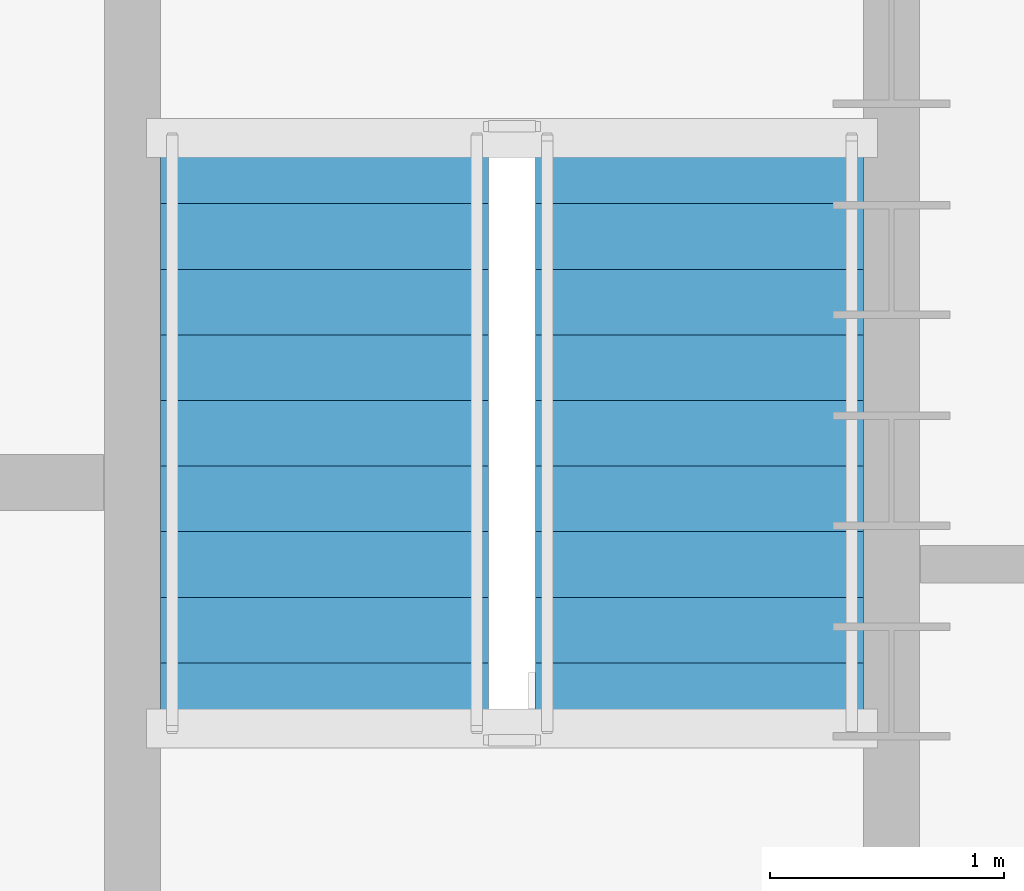
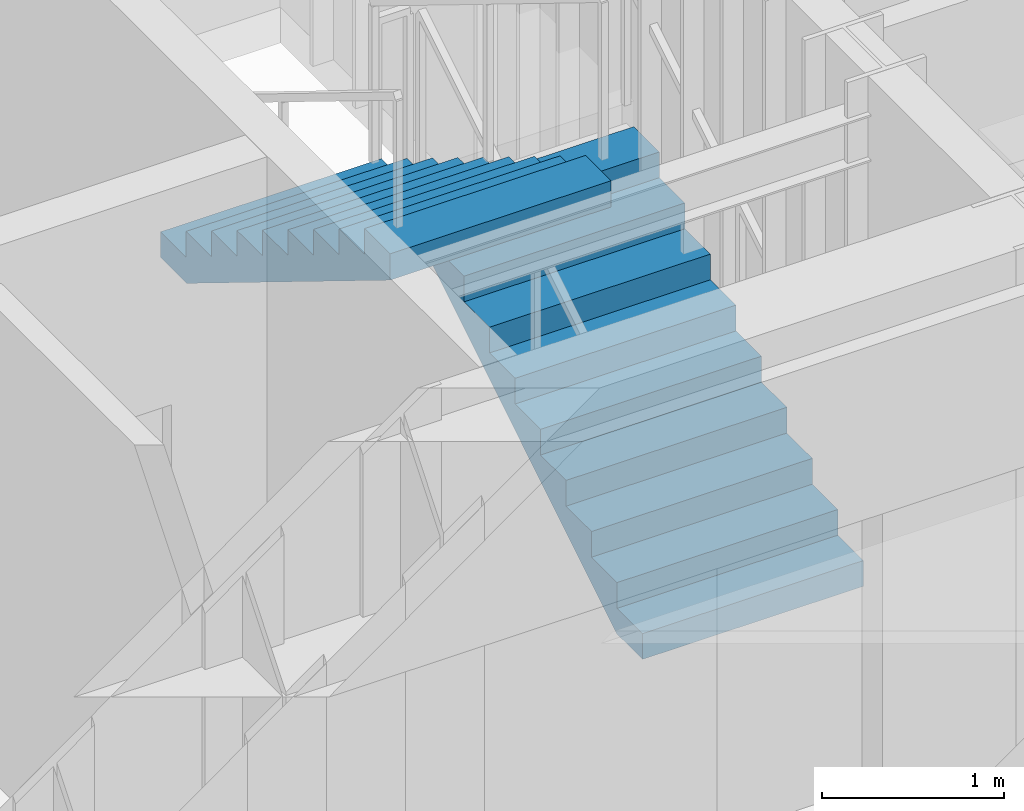
# One storey, part 12 of 16: 2 stair flights, 1 element without a shape of its own.
"""IFC4 building model written with IfcOpenShell, lengths in metres."""

from ifc_helpers import new_model, si_unit, direction, frame, origin, place, context, subcontext, project, spatial, polyline, outline, extrude, material, type_object, element, aggregate, save


model = new_model("IFC4")

# Units and contexts
model_context = context("Model", 3, precision=1e-05, world=origin(), true_north=direction((0.0, 1.0)))
body_context = subcontext(model_context, "Body", "Model", "MODEL_VIEW")
ifc_project = project(units=[si_unit("LENGTHUNIT", "METRE"), si_unit("AREAUNIT", "SQUARE_METRE"), si_unit("VOLUMEUNIT", "CUBIC_METRE"), si_unit("PLANEANGLEUNIT", "RADIAN"), si_unit("MASSUNIT", "GRAM", prefix="KILO")], contexts=[model_context])

# Site, building, storey
site_placement = place(None, origin())
site = spatial("IfcSite", under=ifc_project, at=site_placement, CompositionType="ELEMENT")
building_placement = place(site_placement, origin())
building = spatial("IfcBuilding", under=site, at=building_placement, Name="Haldorwick Loom Tower", CompositionType="ELEMENT")
storey_placement = place(building_placement, frame((0.0, 0.0, 88.699951171875)))
storey = spatial("IfcBuildingStorey", under=building, at=storey_placement, Name="L23", CompositionType="ELEMENT", Elevation=88.699951171875)

# Stair, stair flights
ifc_material = material(Name="Concrete C40 (40 MPa)", Category="concrete")
stair_type = type_object("IfcStairType", Name="STR-STR-CORE", PredefinedType="HALF_TURN_STAIR", material=ifc_material)
stair_placement = place(storey_placement, origin())
stair = element("IfcStair", 1, at=stair_placement, inside=storey, type_object=stair_type, Name="L23 Exit Stair ST-02", PredefinedType="HALF_TURN_STAIR")
stair_flight_type = type_object("IfcStairFlightType", Name="STR-STF-1250", PredefinedType="STRAIGHT", material=ifc_material)
stair_flight_1_placement = place(storey_placement, frame((49.25, 28.39990234375, 0.0), z_axis=(0.0, 0.0, 1.0), x_axis=(0.0, 1.0, 0.0)))
stair_flight_1 = element("IfcStairFlight", 2, at=stair_flight_1_placement, type_object=stair_flight_type, Name="ST-02 flight 1", NumberOfRisers=10, NumberOfTreads=9, PredefinedType="STRAIGHT", RiserHeight=0.1725, TreadLength=0.28, context=body_context, shape_type="SweptSolid", body=[
    extrude(outline(polyline([(0.0, 0.0), (0.0, 0.172607421875), (0.280029296875, 0.172607421875), (0.280029296875, 0.344970703125), (0.56005859375, 0.344970703125), (0.56005859375, 0.517578125), (0.840087890625, 0.517578125), (0.840087890625, 0.68994140625), (1.1201171875, 0.68994140625), (1.1201171875, 0.862548828125), (1.39990234375, 0.862548828125), (1.39990234375, 1.034912109375), (1.679931640625, 1.034912109375), (1.679931640625, 1.20751953125), (1.9599609375, 1.20751953125), (1.9599609375, 1.3798828125), (2.239990234375, 1.3798828125), (2.239990234375, 1.552490234375), (2.52001953125, 1.552490234375), (2.52001953125, 1.72509765625), (2.52001953125, 1.37646484375), (0.285888671875, 0.0), (0.0, 0.0)])), frame((0.0, 0.699951171875, 0.0), z_axis=(0.0, -1.0, 0.0), x_axis=(1.0, 0.0, 0.0)), (0.0, 0.0, 1.0), 1.39990234375),
])
stair_flight_2_placement = place(storey_placement, frame((47.64990234375, 30.919921875, 1.72509765625), z_axis=(0.0, 0.0, 1.0), x_axis=(0.0, -1.0, 0.0)))
stair_flight_2 = element("IfcStairFlight", 3, at=stair_flight_2_placement, type_object=stair_flight_type, Name="ST-02 flight 2", NumberOfRisers=10, NumberOfTreads=9, PredefinedType="STRAIGHT", RiserHeight=0.1725, TreadLength=0.28, context=body_context, shape_type="SweptSolid", body=[
    extrude(outline(polyline([(0.0, 0.0), (0.0, 0.172607421875), (0.280029296875, 0.172607421875), (0.280029296875, 0.344970703125), (0.56005859375, 0.344970703125), (0.56005859375, 0.517578125), (0.840087890625, 0.517578125), (0.840087890625, 0.68994140625), (1.1201171875, 0.68994140625), (1.1201171875, 0.862548828125), (1.39990234375, 0.862548828125), (1.39990234375, 1.034912109375), (1.679931640625, 1.034912109375), (1.679931640625, 1.20751953125), (1.9599609375, 1.20751953125), (1.9599609375, 1.3798828125), (2.239990234375, 1.3798828125), (2.239990234375, 1.552490234375), (2.52001953125, 1.552490234375), (2.52001953125, 1.72509765625), (2.52001953125, 1.37646484375), (0.285888671875, 0.0), (0.0, 0.0)])), frame((0.0, 0.699951171875, 0.0), z_axis=(0.0, -1.0, 0.0), x_axis=(1.0, 0.0, 0.0)), (0.0, 0.0, 1.0), 1.39990234375),
])
aggregate(stair, [stair_flight_1, stair_flight_2])

save(model, "model.ifc")
